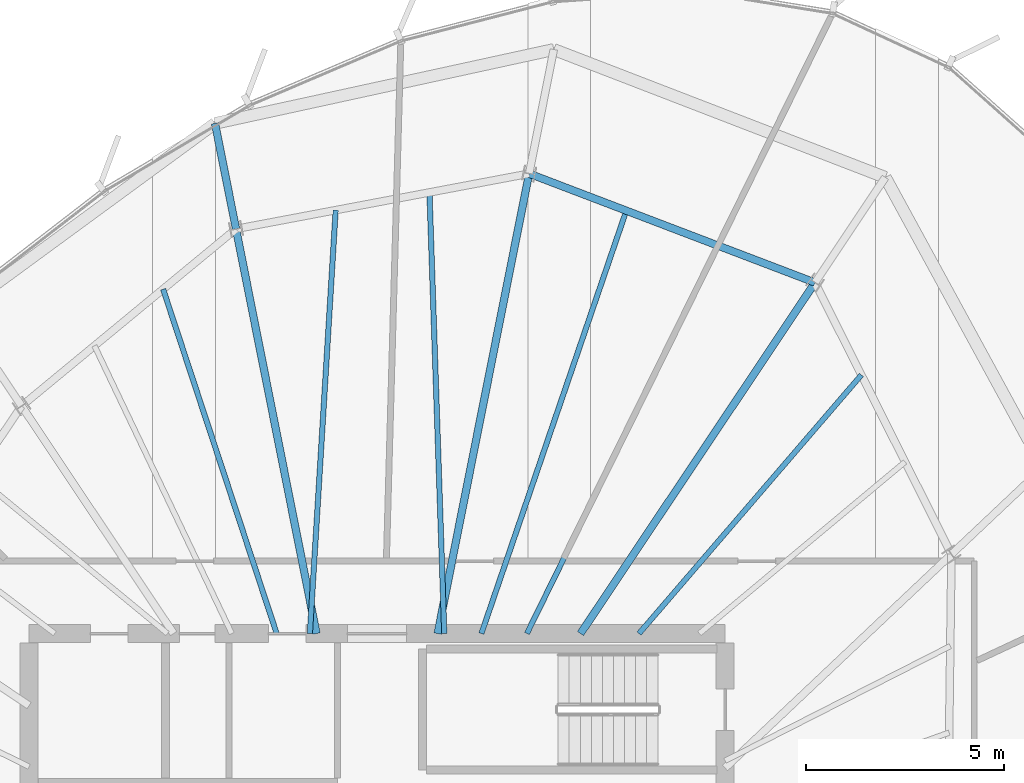
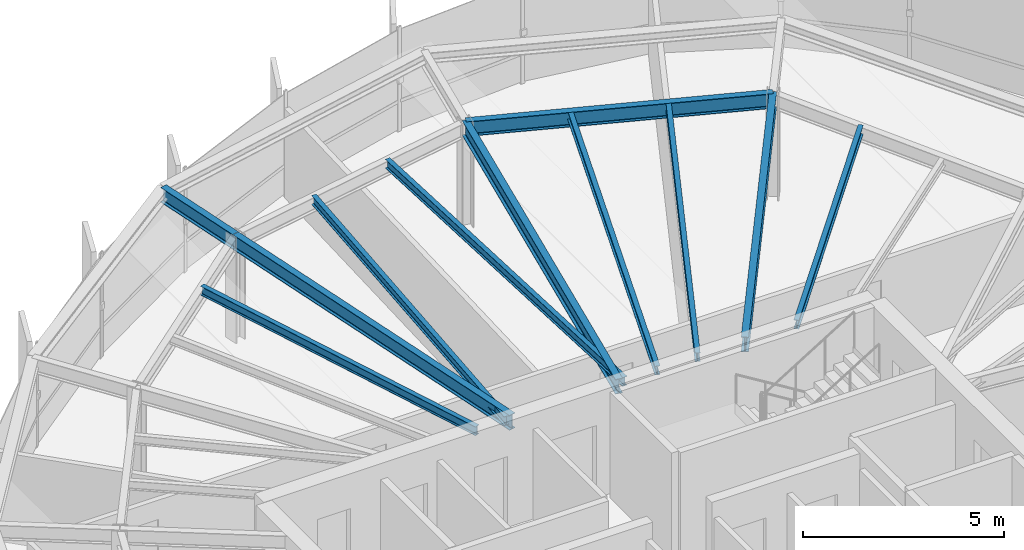
# One storey, part 20 of 34: 11 beams.
"""IFC4 building model written with IfcOpenShell, lengths in metres."""

from ifc_helpers import new_model, si_unit, direction, frame, origin, origin_2d, place, context, subcontext, project, spatial, i_section, extrude, source, transform, mapped, material, material_profile, profile_set, type_object, element, save


model = new_model("IFC4")

# Units and contexts
model_context = context("Model", 3, precision=1e-05, world=origin(), true_north=direction((0.0, 1.0)))
body_context = subcontext(model_context, "Body", "Model", "MODEL_VIEW")
ifc_project = project(units=[si_unit("LENGTHUNIT", "METRE"), si_unit("AREAUNIT", "SQUARE_METRE"), si_unit("VOLUMEUNIT", "CUBIC_METRE"), si_unit("PLANEANGLEUNIT", "RADIAN"), si_unit("MASSUNIT", "GRAM", prefix="KILO"), si_unit("THERMODYNAMICTEMPERATUREUNIT", "KELVIN")], contexts=[model_context])

# Site, building, storey
site_placement = place(None, origin())
site = spatial("IfcSite", under=ifc_project, at=site_placement, CompositionType="ELEMENT")
building_placement = place(site_placement, origin())
building = spatial("IfcBuilding", under=site, at=building_placement, Name="Kethvar Cultural Tower", CompositionType="ELEMENT")
storey_placement = place(building_placement, frame((0.0, 0.0, 262.89990234375)))
storey = spatial("IfcBuildingStorey", under=building, at=storey_placement, Name="L69", CompositionType="ELEMENT", Elevation=262.89990234375)

# Beams
ifc_material = material(Name="Steel S355J2", Category="steel")
ifc_material_profile_1 = material_profile(ifc_material, i_section(OverallWidth=0.18994140625, OverallDepth=0.449951171875, WebThickness=0.009521484375, FlangeThickness=0.0146484375, FilletRadius=0.02099609375, at=origin_2d()), Name="Steel S355J2 — IPE450")
ifc_profile_set_1 = profile_set([ifc_material_profile_1], Name="Steel S355J2 — IPE450")
beam_type_1 = type_object("IfcBeamType", Name="BM-IPE450", PredefinedType="BEAM", material=ifc_profile_set_1)
shared_shape_1 = source(origin(), body_context, "Body", "SweptSolid", [
    extrude(i_section(OverallWidth=0.18994140625, OverallDepth=0.449951171875, WebThickness=0.009521484375, FlangeThickness=0.0146484375, FilletRadius=0.02099609375, at=origin_2d()), origin(), (0.0, 0.0, 1.0), 10.673828125),
])
beam_1_placement = place(storey_placement, frame((51.945068359375, 35.5, 2.983154296875), z_axis=(0.555576086183, 0.831465701314, 0.0), x_axis=(-0.831465701314, 0.555576086183, 0.0)))
element("IfcBeam", 1, at=beam_1_placement, inside=storey, type_object=beam_type_1, Name="L69 Primary Radial Beam RB-03", PredefinedType="BEAM", context=body_context, shape_type="MappedRepresentation", body=[
    mapped(shared_shape_1, transform((0.0, 0.0, 0.0), scale=1.0)),
])
shared_shape_2 = source(origin(), body_context, "Body", "SweptSolid", [
    extrude(i_section(OverallWidth=0.18994140625, OverallDepth=0.449951171875, WebThickness=0.009521484375, FlangeThickness=0.0146484375, FilletRadius=0.02099609375, at=origin_2d()), origin(), (0.0, 0.0, 1.0), 11.859375),
])
beam_2_placement = place(storey_placement, frame((48.33154296875, 35.5, 2.983154296875), z_axis=(0.195094640585, 0.980784421377, 0.0), x_axis=(-0.980784421377, 0.195094640585, 0.0)))
element("IfcBeam", 2, at=beam_2_placement, inside=storey, type_object=beam_type_1, Name="L69 Primary Radial Beam RB-04", PredefinedType="BEAM", context=body_context, shape_type="MappedRepresentation", body=[
    mapped(shared_shape_2, transform((0.0, 0.0, 0.0), scale=1.0)),
])
shared_shape_3 = source(origin(), body_context, "Body", "SweptSolid", [
    extrude(i_section(OverallWidth=0.18994140625, OverallDepth=0.449951171875, WebThickness=0.009521484375, FlangeThickness=0.0146484375, FilletRadius=0.02099609375, at=origin_2d()), origin(), (0.0, 0.0, 1.0), 10.432861328125),
])
beam_3_placement = place(storey_placement, frame((45.268310546875, 35.5, 2.983154296875), z_axis=(-0.195094483249, 0.980784452673, 0.0), x_axis=(-0.980784452673, -0.195094483249, 0.0)))
element("IfcBeam", 3, at=beam_3_placement, inside=storey, type_object=beam_type_1, Name="L69 Primary Radial Beam RB-05", PredefinedType="BEAM", context=body_context, shape_type="MappedRepresentation", body=[
    mapped(shared_shape_3, transform((0.0, 0.0, 0.0), scale=1.0)),
])
ifc_material_profile_2 = material_profile(ifc_material, i_section(OverallWidth=0.135009765625, OverallDepth=0.27001953125, WebThickness=0.006591796875, FlangeThickness=0.01025390625, FilletRadius=0.014892578125, at=origin_2d()), Name="Steel S355J2 — IPE270")
ifc_profile_set_2 = profile_set([ifc_material_profile_2], Name="Steel S355J2 — IPE270")
beam_type_2 = type_object("IfcBeamType", Name="BM-J270", PredefinedType="JOIST", material=ifc_profile_set_2)
shared_shape_4 = source(origin(), body_context, "Body", "SweptSolid", [
    extrude(i_section(OverallWidth=0.135009765625, OverallDepth=0.27001953125, WebThickness=0.006591796875, FlangeThickness=0.01025390625, FilletRadius=0.014892578125, at=origin_2d()), origin(), (0.0, 0.0, 1.0), 8.6259765625),
])
beam_4_placement = place(storey_placement, frame((53.42333984375, 35.5, 3.072998046875), z_axis=(0.65210499689, 0.758128665222, 0.0), x_axis=(-0.758128665222, 0.65210499689, 0.0)))
element("IfcBeam", 4, at=beam_4_placement, inside=storey, type_object=beam_type_2, Name="L69 Composite Floor Joist J-02B", PredefinedType="JOIST", context=body_context, shape_type="MappedRepresentation", body=[
    mapped(shared_shape_4, transform((0.0, 0.0, 0.0), scale=1.0)),
])
shared_shape_5 = source(origin(), body_context, "Body", "SweptSolid", [
    extrude(i_section(OverallWidth=0.18994140625, OverallDepth=0.449951171875, WebThickness=0.009521484375, FlangeThickness=0.0146484375, FilletRadius=0.02099609375, at=origin_2d()), origin(), (0.0, 0.0, 1.0), 7.737548828125),
])
beam_5_placement = place(storey_placement, frame((57.875244140625, 44.375, 2.983154296875), z_axis=(-0.934388230776, 0.356256416347, 0.0), x_axis=(-0.356256416347, -0.934388230776, 0.0)))
element("IfcBeam", 5, at=beam_5_placement, inside=storey, type_object=beam_type_1, Name="L69 Column Ring Tie Beam CR-03", PredefinedType="BEAM", context=body_context, shape_type="MappedRepresentation", body=[
    mapped(shared_shape_5, transform((0.0, 0.0, 0.0), scale=1.0)),
])
shared_shape_6 = source(origin(), body_context, "Body", "SweptSolid", [
    extrude(i_section(OverallWidth=0.135009765625, OverallDepth=0.27001953125, WebThickness=0.006591796875, FlangeThickness=0.01025390625, FilletRadius=0.014892578125, at=origin_2d()), origin(), (0.0, 0.0, 1.0), 10.935791015625),
])
beam_6_placement = place(storey_placement, frame((50.5888671875, 35.5, 3.072998046875), z_axis=(0.441498236677, 0.897262117227, 0.0), x_axis=(-0.897262117227, 0.441498236677, 0.0)))
element("IfcBeam", 6, at=beam_6_placement, inside=storey, type_object=beam_type_2, Name="L69 Composite Floor Joist J-03A", PredefinedType="JOIST", context=body_context, shape_type="MappedRepresentation", body=[
    mapped(shared_shape_6, transform((0.0, 0.0, 0.0), scale=1.0)),
])
shared_shape_7 = source(origin(), body_context, "Body", "SweptSolid", [
    extrude(i_section(OverallWidth=0.135009765625, OverallDepth=0.27001953125, WebThickness=0.006591796875, FlangeThickness=0.01025390625, FilletRadius=0.014892578125, at=origin_2d()), origin(), (0.0, 0.0, 1.0), 11.304931640625),
])
beam_7_placement = place(storey_placement, frame((49.438720703125, 35.5, 3.072998046875), z_axis=(0.324179110764, 0.945995720997, 0.0), x_axis=(-0.945995720997, 0.324179110764, 0.0)))
element("IfcBeam", 7, at=beam_7_placement, inside=storey, type_object=beam_type_2, Name="L69 Composite Floor Joist J-03B", PredefinedType="JOIST", context=body_context, shape_type="MappedRepresentation", body=[
    mapped(shared_shape_7, transform((0.0, 0.0, 0.0), scale=1.0)),
])
shared_shape_8 = source(origin(), body_context, "Body", "SweptSolid", [
    extrude(i_section(OverallWidth=0.135009765625, OverallDepth=0.27001953125, WebThickness=0.006591796875, FlangeThickness=0.01025390625, FilletRadius=0.014892578125, at=origin_2d()), origin(), (0.0, 0.0, 1.0), 11.162109375),
])
beam_8_placement = place(storey_placement, frame((48.5, 35.5, 3.072998046875), z_axis=(-0.0335959409, 0.999435497046, 0.0), x_axis=(-0.999435497046, -0.0335959409, 0.0)))
element("IfcBeam", 8, at=beam_8_placement, inside=storey, type_object=beam_type_2, Name="L69 Composite Floor Joist J-04A", PredefinedType="JOIST", context=body_context, shape_type="MappedRepresentation", body=[
    mapped(shared_shape_8, transform((0.0, 0.0, 0.0), scale=1.0)),
])
shared_shape_9 = source(origin(), body_context, "Body", "SweptSolid", [
    extrude(i_section(OverallWidth=0.135009765625, OverallDepth=0.27001953125, WebThickness=0.006591796875, FlangeThickness=0.01025390625, FilletRadius=0.014892578125, at=origin_2d()), origin(), (0.0, 0.0, 1.0), 10.727783203125),
])
beam_9_placement = place(storey_placement, frame((45.10009765625, 35.5, 3.072998046875), z_axis=(0.060876395586, 0.998145312297, 0.0), x_axis=(-0.998145312297, 0.060876395586, 0.0)))
element("IfcBeam", 9, at=beam_9_placement, inside=storey, type_object=beam_type_2, Name="L69 Composite Floor Joist J-04B", PredefinedType="JOIST", context=body_context, shape_type="MappedRepresentation", body=[
    mapped(shared_shape_9, transform((0.0, 0.0, 0.0), scale=1.0)),
])
shared_shape_10 = source(origin(), body_context, "Body", "SweptSolid", [
    extrude(i_section(OverallWidth=0.135009765625, OverallDepth=0.27001953125, WebThickness=0.006591796875, FlangeThickness=0.01025390625, FilletRadius=0.014892578125, at=origin_2d()), origin(), (0.0, 0.0, 1.0), 9.17138671875),
])
beam_10_placement = place(storey_placement, frame((44.260986328125, 35.5, 3.072998046875), z_axis=(-0.313151555446, 0.949703165901, 0.0), x_axis=(-0.949703165901, -0.313151555446, 0.0)))
element("IfcBeam", 10, at=beam_10_placement, inside=storey, type_object=beam_type_2, Name="L69 Composite Floor Joist J-05A", PredefinedType="JOIST", context=body_context, shape_type="MappedRepresentation", body=[
    mapped(shared_shape_10, transform((0.0, 0.0, 0.0), scale=1.0)),
])
shared_shape_11 = source(origin(), body_context, "Body", "SweptSolid", [
    extrude(i_section(OverallWidth=0.18994140625, OverallDepth=0.449951171875, WebThickness=0.009521484375, FlangeThickness=0.0146484375, FilletRadius=0.02099609375, at=origin_2d()), origin(), (0.0, 0.0, 1.0), 2.722900390625),
])
beam_11_placement = place(storey_placement, frame((43.23291015625, 45.732421875, 2.983154296875), z_axis=(-0.195098740847, 0.980783605756, 0.0), x_axis=(-0.980783605756, -0.195098740847, 0.0)))
element("IfcBeam", 11, at=beam_11_placement, inside=storey, type_object=beam_type_1, Name="L69 Perimeter Cantilever Beam RC-05", PredefinedType="BEAM", context=body_context, shape_type="MappedRepresentation", body=[
    mapped(shared_shape_11, transform((0.0, 0.0, 0.0), scale=1.0)),
])

save(model, "model.ifc")
